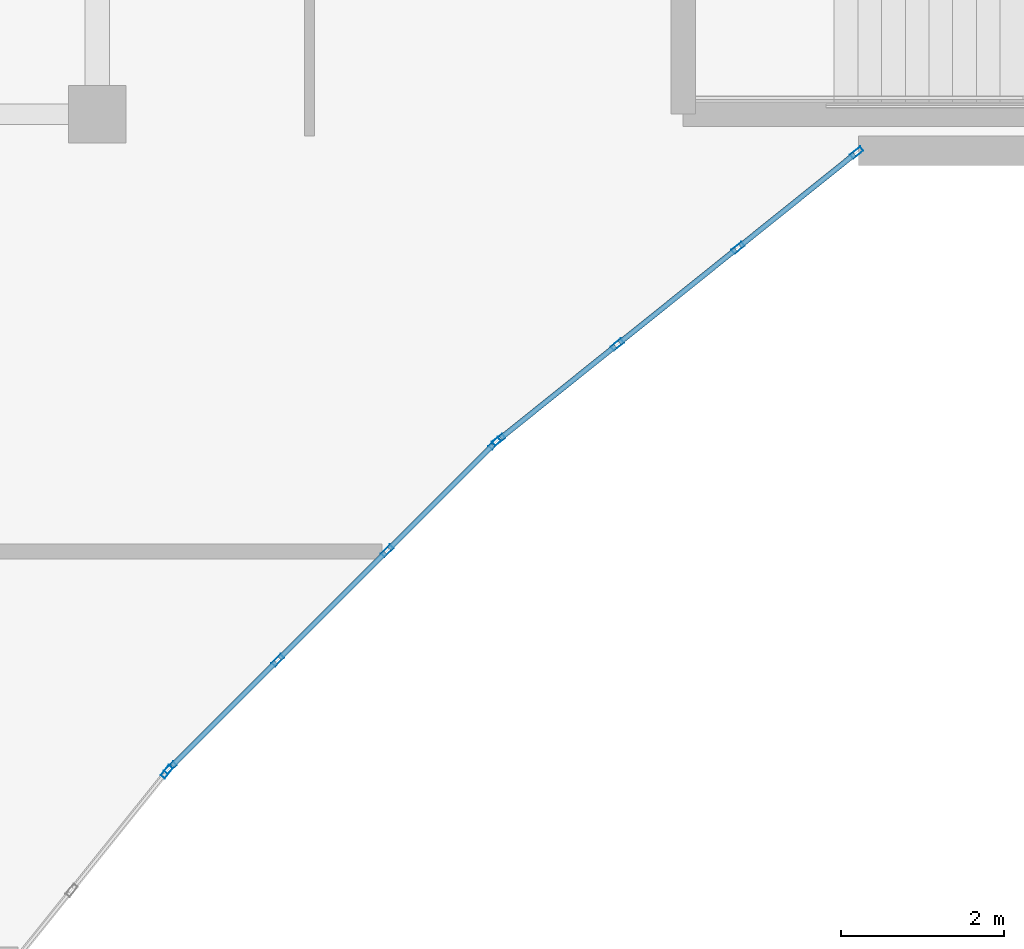
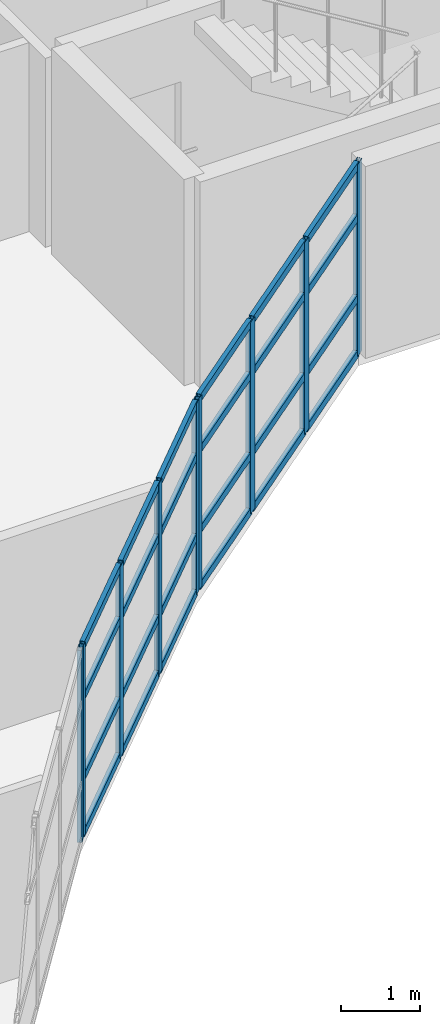
# One storey, part 23 of 89: 33 members, 3 elements without a shape of their own.
"""IFC4 building model written with IfcOpenShell, lengths in metres."""

from ifc_helpers import new_model, si_unit, direction, frame, origin, origin_2d, place, context, subcontext, project, spatial, hollow_rectangle, extrude, material, layer, layer_set, material_profile, profile_set, type_object, element, aggregate, save


model = new_model("IFC4")

# Units and contexts
model_context = context("Model", 3, precision=1e-05, world=origin(), true_north=direction((0.0, 1.0)))
body_context = subcontext(model_context, "Body", "Model", "MODEL_VIEW")
ifc_project = project(units=[si_unit("LENGTHUNIT", "METRE"), si_unit("AREAUNIT", "SQUARE_METRE"), si_unit("VOLUMEUNIT", "CUBIC_METRE"), si_unit("PLANEANGLEUNIT", "RADIAN"), si_unit("MASSUNIT", "GRAM", prefix="KILO")], contexts=[model_context])

# Site, building, storey
site_placement = place(None, origin())
site = spatial("IfcSite", under=ifc_project, at=site_placement, CompositionType="ELEMENT")
building_placement = place(site_placement, origin())
building = spatial("IfcBuilding", under=site, at=building_placement, Name="Keldmere Railside Commons", CompositionType="ELEMENT")
storey_placement = place(building_placement, frame((0.0, 0.0, 7.360107421875)))
storey = spatial("IfcBuildingStorey", under=building, at=storey_placement, Name="L02", CompositionType="ELEMENT", Elevation=7.360107421875)

# Curtain wall, member
ifc_material = material(Name="Thermally Broken Aluminium", Category="aluminium")
ifc_layer_1 = layer(ifc_material, 0.159912109375, Name="Court Chord Wintergarden CW 4800x2850")
ifc_layer_set_1 = layer_set([ifc_layer_1], Name="Thermally Broken Aluminium")
curtain_wall_type_1 = type_object("IfcCurtainWallType", Name="Court Chord Wintergarden CW 4800x2850", PredefinedType="NOTDEFINED", material=ifc_layer_set_1)
curtain_wall_1_placement = place(storey_placement, origin())
curtain_wall_1 = element("IfcCurtainWall", 1, at=curtain_wall_1_placement, inside=storey, type_object=curtain_wall_type_1, Name="CW-12 CW-L02-097", PredefinedType="NOTDEFINED")
ifc_material_profile_1 = material_profile(ifc_material, hollow_rectangle(XDim=0.06494140625, YDim=0.159912109375, WallThickness=0.00390625, at=origin_2d()), Name="ALU-MULL-65x160")
ifc_profile_set_1 = profile_set([ifc_material_profile_1], Name="Thermally Broken Aluminium")
member_type_1 = type_object("IfcMemberType", Name="Unitised Curtain Wall Mullion 65x160", PredefinedType="MULLION", material=ifc_profile_set_1)
member_1_placement = place(storey_placement, frame((123.53369140625, 92.404541015625, 0.0), z_axis=(0.0, 0.0, 1.0), x_axis=(0.780009172323, -0.625768080915, 0.0)))
member_1 = element("IfcMember", 2, at=member_1_placement, type_object=member_type_1, Name="CW-12 mullion 1", PredefinedType="MULLION", context=body_context, shape_type="SweptSolid", body=[
    extrude(hollow_rectangle(XDim=0.06494140625, YDim=0.159912109375, WallThickness=0.00390625, at=origin_2d()), origin(), (0.0, 0.0, 1.0), 2.97998046875),
])
aggregate(curtain_wall_1, [member_1])

# Curtain wall, members
ifc_layer_2 = layer(ifc_material, 0.159912109375, Name="Court Chord Wintergarden CW 5400x2850")
ifc_layer_set_2 = layer_set([ifc_layer_2], Name="Thermally Broken Aluminium")
curtain_wall_type_2 = type_object("IfcCurtainWallType", Name="Court Chord Wintergarden CW 5400x2850", PredefinedType="NOTDEFINED", material=ifc_layer_set_2)
curtain_wall_2_placement = place(storey_placement, origin())
curtain_wall_2 = element("IfcCurtainWall", 3, at=curtain_wall_2_placement, inside=storey, type_object=curtain_wall_type_2, Name="CW-13 CW-L02-098", PredefinedType="NOTDEFINED")
member_2_placement = place(storey_placement, frame((127.547119140625, 96.423095703125, 0.0), z_axis=(0.0, 0.0, 1.0), x_axis=(0.707106781187, -0.707106781187, 0.0)))
member_2 = element("IfcMember", 4, at=member_2_placement, type_object=member_type_1, Name="CW-13 mullion 1", PredefinedType="MULLION", context=body_context, shape_type="SweptSolid", body=[
    extrude(hollow_rectangle(XDim=0.06494140625, YDim=0.159912109375, WallThickness=0.00390625, at=origin_2d()), origin(), (0.0, 0.0, 1.0), 2.97998046875),
])
member_3_placement = place(storey_placement, frame((126.2314453125, 95.107421875, 0.0), z_axis=(0.0, 0.0, 1.0), x_axis=(0.707106781187, -0.707106781187, 0.0)))
member_3 = element("IfcMember", 5, at=member_3_placement, type_object=member_type_1, Name="CW-13 mullion 2", PredefinedType="MULLION", context=body_context, shape_type="SweptSolid", body=[
    extrude(hollow_rectangle(XDim=0.06494140625, YDim=0.159912109375, WallThickness=0.00390625, at=origin_2d()), origin(), (0.0, 0.0, 1.0), 2.97998046875),
])
member_4_placement = place(storey_placement, frame((124.892578125, 93.7685546875, 0.0), z_axis=(0.0, 0.0, 1.0), x_axis=(0.707106781187, -0.707106781187, 0.0)))
member_4 = element("IfcMember", 6, at=member_4_placement, type_object=member_type_1, Name="CW-13 mullion 3", PredefinedType="MULLION", context=body_context, shape_type="SweptSolid", body=[
    extrude(hollow_rectangle(XDim=0.06494140625, YDim=0.159912109375, WallThickness=0.00390625, at=origin_2d()), origin(), (0.0, 0.0, 1.0), 2.97998046875),
])
member_5_placement = place(storey_placement, frame((123.576904296875, 92.452880859375, 0.0), z_axis=(0.0, 0.0, 1.0), x_axis=(0.707106781187, -0.707106781187, 0.0)))
member_5 = element("IfcMember", 7, at=member_5_placement, type_object=member_type_1, Name="CW-13 mullion 4", PredefinedType="MULLION", context=body_context, shape_type="SweptSolid", body=[
    extrude(hollow_rectangle(XDim=0.06494140625, YDim=0.159912109375, WallThickness=0.00390625, at=origin_2d()), origin(), (0.0, 0.0, 1.0), 2.97998046875),
])

curtain_wall_3_placement = place(storey_placement, origin())
curtain_wall_3 = element("IfcCurtainWall", 8, at=curtain_wall_3_placement, inside=storey, type_object=curtain_wall_type_1, Name="CW-12 CW-L02-099", PredefinedType="NOTDEFINED")
member_6_placement = place(storey_placement, frame((131.974609375, 99.979736328125, 0.0), z_axis=(0.0, 0.0, 1.0), x_axis=(0.625768080915, -0.780009172323, 0.0)))
member_6 = element("IfcMember", 9, at=member_6_placement, type_object=member_type_1, Name="CW-12 mullion 1", PredefinedType="MULLION", context=body_context, shape_type="SweptSolid", body=[
    extrude(hollow_rectangle(XDim=0.06494140625, YDim=0.159912109375, WallThickness=0.00390625, at=origin_2d()), origin(), (0.0, 0.0, 1.0), 2.97998046875),
])
member_7_placement = place(storey_placement, frame((130.5234375, 98.8154296875, 0.0), z_axis=(0.0, 0.0, 1.0), x_axis=(0.625768080915, -0.780009172323, 0.0)))
member_7 = element("IfcMember", 10, at=member_7_placement, type_object=member_type_1, Name="CW-12 mullion 2", PredefinedType="MULLION", context=body_context, shape_type="SweptSolid", body=[
    extrude(hollow_rectangle(XDim=0.06494140625, YDim=0.159912109375, WallThickness=0.00390625, at=origin_2d()), origin(), (0.0, 0.0, 1.0), 2.97998046875),
])
member_8_placement = place(storey_placement, frame((129.046630859375, 97.630615234375, 0.0), z_axis=(0.0, 0.0, 1.0), x_axis=(0.625768080915, -0.780009172323, 0.0)))
member_8 = element("IfcMember", 11, at=member_8_placement, type_object=member_type_1, Name="CW-12 mullion 3", PredefinedType="MULLION", context=body_context, shape_type="SweptSolid", body=[
    extrude(hollow_rectangle(XDim=0.06494140625, YDim=0.159912109375, WallThickness=0.00390625, at=origin_2d()), origin(), (0.0, 0.0, 1.0), 2.97998046875),
])
member_9_placement = place(storey_placement, frame((127.595458984375, 96.46630859375, 0.0), z_axis=(0.0, 0.0, 1.0), x_axis=(0.625768080915, -0.780009172323, 0.0)))
member_9 = element("IfcMember", 12, at=member_9_placement, type_object=member_type_1, Name="CW-12 mullion 4", PredefinedType="MULLION", context=body_context, shape_type="SweptSolid", body=[
    extrude(hollow_rectangle(XDim=0.06494140625, YDim=0.159912109375, WallThickness=0.00390625, at=origin_2d()), origin(), (0.0, 0.0, 1.0), 2.97998046875),
])

# Member
ifc_material_profile_2 = material_profile(ifc_material, hollow_rectangle(XDim=0.06494140625, YDim=0.1201171875, WallThickness=0.00390625, at=origin_2d()), Name="ALU-TRAN-65x120")
ifc_profile_set_2 = profile_set([ifc_material_profile_2], Name="Thermally Broken Aluminium")
member_type_2 = type_object("IfcMemberType", Name="Unitised Curtain Wall Transom 65x120", PredefinedType="USERDEFINED", material=ifc_profile_set_2)
member_10_placement = place(storey_placement, frame((127.52392578125, 96.400146484375, 0.032470703125), z_axis=(-0.707038793419, -0.707174762418, 0.0), x_axis=(0.707174762418, -0.707038793419, 0.0)))
member_10 = element("IfcMember", 13, at=member_10_placement, type_object=member_type_2, Name="CW-13 transom 1.1", ObjectType="TRANSOM", PredefinedType="USERDEFINED", context=body_context, shape_type="SweptSolid", body=[
    extrude(hollow_rectangle(XDim=0.06494140625, YDim=0.1201171875, WallThickness=0.00390625, at=origin_2d()), origin(), (0.0, 0.0, 1.0), 1.795654296875),
])

member_11_placement = place(storey_placement, frame((127.52392578125, 96.400146484375, 0.89990234375), z_axis=(-0.707038793419, -0.707174762418, 0.0), x_axis=(0.707174762418, -0.707038793419, 0.0)))
member_11 = element("IfcMember", 14, at=member_11_placement, type_object=member_type_2, Name="CW-13 transom 1.2", ObjectType="TRANSOM", PredefinedType="USERDEFINED", context=body_context, shape_type="SweptSolid", body=[
    extrude(hollow_rectangle(XDim=0.06494140625, YDim=0.1201171875, WallThickness=0.00390625, at=origin_2d()), origin(), (0.0, 0.0, 1.0), 1.795654296875),
])

member_12_placement = place(storey_placement, frame((127.52392578125, 96.400146484375, 2.14990234375), z_axis=(-0.707038793419, -0.707174762418, 0.0), x_axis=(0.707174762418, -0.707038793419, 0.0)))
member_12 = element("IfcMember", 15, at=member_12_placement, type_object=member_type_2, Name="CW-13 transom 1.3", ObjectType="TRANSOM", PredefinedType="USERDEFINED", context=body_context, shape_type="SweptSolid", body=[
    extrude(hollow_rectangle(XDim=0.06494140625, YDim=0.1201171875, WallThickness=0.00390625, at=origin_2d()), origin(), (0.0, 0.0, 1.0), 1.795654296875),
])

member_13_placement = place(storey_placement, frame((127.52392578125, 96.400146484375, 2.947509765625), z_axis=(-0.707038793419, -0.707174762418, 0.0), x_axis=(0.707174762418, -0.707038793419, 0.0)))
member_13 = element("IfcMember", 16, at=member_13_placement, type_object=member_type_2, Name="CW-13 transom 1.4", ObjectType="TRANSOM", PredefinedType="USERDEFINED", context=body_context, shape_type="SweptSolid", body=[
    extrude(hollow_rectangle(XDim=0.06494140625, YDim=0.1201171875, WallThickness=0.00390625, at=origin_2d()), origin(), (0.0, 0.0, 1.0), 1.795654296875),
])

member_14_placement = place(storey_placement, frame((126.208251953125, 95.08447265625, 0.032470703125), z_axis=(-0.707106781187, -0.707106781187, 0.0), x_axis=(0.707106781187, -0.707106781187, 0.0)))
member_14 = element("IfcMember", 17, at=member_14_placement, type_object=member_type_2, Name="CW-13 transom 2.1", ObjectType="TRANSOM", PredefinedType="USERDEFINED", context=body_context, shape_type="SweptSolid", body=[
    extrude(hollow_rectangle(XDim=0.06494140625, YDim=0.1201171875, WallThickness=0.00390625, at=origin_2d()), origin(), (0.0, 0.0, 1.0), 1.828125),
])

member_15_placement = place(storey_placement, frame((126.208251953125, 95.08447265625, 0.89990234375), z_axis=(-0.707106781187, -0.707106781187, 0.0), x_axis=(0.707106781187, -0.707106781187, 0.0)))
member_15 = element("IfcMember", 18, at=member_15_placement, type_object=member_type_2, Name="CW-13 transom 2.2", ObjectType="TRANSOM", PredefinedType="USERDEFINED", context=body_context, shape_type="SweptSolid", body=[
    extrude(hollow_rectangle(XDim=0.06494140625, YDim=0.1201171875, WallThickness=0.00390625, at=origin_2d()), origin(), (0.0, 0.0, 1.0), 1.828125),
])

member_16_placement = place(storey_placement, frame((126.208251953125, 95.08447265625, 2.14990234375), z_axis=(-0.707106781187, -0.707106781187, 0.0), x_axis=(0.707106781187, -0.707106781187, 0.0)))
member_16 = element("IfcMember", 19, at=member_16_placement, type_object=member_type_2, Name="CW-13 transom 2.3", ObjectType="TRANSOM", PredefinedType="USERDEFINED", context=body_context, shape_type="SweptSolid", body=[
    extrude(hollow_rectangle(XDim=0.06494140625, YDim=0.1201171875, WallThickness=0.00390625, at=origin_2d()), origin(), (0.0, 0.0, 1.0), 1.828125),
])

member_17_placement = place(storey_placement, frame((126.208251953125, 95.08447265625, 2.947509765625), z_axis=(-0.707106781187, -0.707106781187, 0.0), x_axis=(0.707106781187, -0.707106781187, 0.0)))
member_17 = element("IfcMember", 20, at=member_17_placement, type_object=member_type_2, Name="CW-13 transom 2.4", ObjectType="TRANSOM", PredefinedType="USERDEFINED", context=body_context, shape_type="SweptSolid", body=[
    extrude(hollow_rectangle(XDim=0.06494140625, YDim=0.1201171875, WallThickness=0.00390625, at=origin_2d()), origin(), (0.0, 0.0, 1.0), 1.828125),
])

member_18_placement = place(storey_placement, frame((124.86962890625, 93.74560546875, 0.032470703125), z_axis=(-0.707174762418, -0.707038793419, 0.0), x_axis=(0.707038793419, -0.707174762418, 0.0)))
member_18 = element("IfcMember", 21, at=member_18_placement, type_object=member_type_2, Name="CW-13 transom 3.1", ObjectType="TRANSOM", PredefinedType="USERDEFINED", context=body_context, shape_type="SweptSolid", body=[
    extrude(hollow_rectangle(XDim=0.06494140625, YDim=0.1201171875, WallThickness=0.00390625, at=origin_2d()), origin(), (0.0, 0.0, 1.0), 1.795654296875),
])

member_19_placement = place(storey_placement, frame((124.86962890625, 93.74560546875, 0.89990234375), z_axis=(-0.707174762418, -0.707038793419, 0.0), x_axis=(0.707038793419, -0.707174762418, 0.0)))
member_19 = element("IfcMember", 22, at=member_19_placement, type_object=member_type_2, Name="CW-13 transom 3.2", ObjectType="TRANSOM", PredefinedType="USERDEFINED", context=body_context, shape_type="SweptSolid", body=[
    extrude(hollow_rectangle(XDim=0.06494140625, YDim=0.1201171875, WallThickness=0.00390625, at=origin_2d()), origin(), (0.0, 0.0, 1.0), 1.795654296875),
])

member_20_placement = place(storey_placement, frame((124.86962890625, 93.74560546875, 2.14990234375), z_axis=(-0.707174762418, -0.707038793419, 0.0), x_axis=(0.707038793419, -0.707174762418, 0.0)))
member_20 = element("IfcMember", 23, at=member_20_placement, type_object=member_type_2, Name="CW-13 transom 3.3", ObjectType="TRANSOM", PredefinedType="USERDEFINED", context=body_context, shape_type="SweptSolid", body=[
    extrude(hollow_rectangle(XDim=0.06494140625, YDim=0.1201171875, WallThickness=0.00390625, at=origin_2d()), origin(), (0.0, 0.0, 1.0), 1.795654296875),
])

member_21_placement = place(storey_placement, frame((124.86962890625, 93.74560546875, 2.947509765625), z_axis=(-0.707174762418, -0.707038793419, 0.0), x_axis=(0.707038793419, -0.707174762418, 0.0)))
member_21 = element("IfcMember", 24, at=member_21_placement, type_object=member_type_2, Name="CW-13 transom 3.4", ObjectType="TRANSOM", PredefinedType="USERDEFINED", context=body_context, shape_type="SweptSolid", body=[
    extrude(hollow_rectangle(XDim=0.06494140625, YDim=0.1201171875, WallThickness=0.00390625, at=origin_2d()), origin(), (0.0, 0.0, 1.0), 1.795654296875),
])

aggregate(curtain_wall_2, [member_2, member_3, member_4, member_5, member_10, member_11, member_12, member_13, member_14, member_15, member_16, member_17, member_18, member_19, member_20, member_21])

member_22_placement = place(storey_placement, frame((131.94921875, 99.959228515625, 0.032470703125), z_axis=(-0.780045694992, -0.625722553313, 0.0), x_axis=(0.625722553313, -0.780045694992, 0.0)))
member_22 = element("IfcMember", 25, at=member_22_placement, type_object=member_type_2, Name="CW-12 transom 1.1", ObjectType="TRANSOM", PredefinedType="USERDEFINED", context=body_context, shape_type="SweptSolid", body=[
    extrude(hollow_rectangle(XDim=0.06494140625, YDim=0.1201171875, WallThickness=0.00390625, at=origin_2d()), origin(), (0.0, 0.0, 1.0), 1.795654296875),
])

member_23_placement = place(storey_placement, frame((131.94921875, 99.959228515625, 0.89990234375), z_axis=(-0.780045694992, -0.625722553313, 0.0), x_axis=(0.625722553313, -0.780045694992, 0.0)))
member_23 = element("IfcMember", 26, at=member_23_placement, type_object=member_type_2, Name="CW-12 transom 1.2", ObjectType="TRANSOM", PredefinedType="USERDEFINED", context=body_context, shape_type="SweptSolid", body=[
    extrude(hollow_rectangle(XDim=0.06494140625, YDim=0.1201171875, WallThickness=0.00390625, at=origin_2d()), origin(), (0.0, 0.0, 1.0), 1.795654296875),
])

member_24_placement = place(storey_placement, frame((131.94921875, 99.959228515625, 2.14990234375), z_axis=(-0.780045694992, -0.625722553313, 0.0), x_axis=(0.625722553313, -0.780045694992, 0.0)))
member_24 = element("IfcMember", 27, at=member_24_placement, type_object=member_type_2, Name="CW-12 transom 1.3", ObjectType="TRANSOM", PredefinedType="USERDEFINED", context=body_context, shape_type="SweptSolid", body=[
    extrude(hollow_rectangle(XDim=0.06494140625, YDim=0.1201171875, WallThickness=0.00390625, at=origin_2d()), origin(), (0.0, 0.0, 1.0), 1.795654296875),
])

member_25_placement = place(storey_placement, frame((131.94921875, 99.959228515625, 2.947509765625), z_axis=(-0.780045694992, -0.625722553313, 0.0), x_axis=(0.625722553313, -0.780045694992, 0.0)))
member_25 = element("IfcMember", 28, at=member_25_placement, type_object=member_type_2, Name="CW-12 transom 1.4", ObjectType="TRANSOM", PredefinedType="USERDEFINED", context=body_context, shape_type="SweptSolid", body=[
    extrude(hollow_rectangle(XDim=0.06494140625, YDim=0.1201171875, WallThickness=0.00390625, at=origin_2d()), origin(), (0.0, 0.0, 1.0), 1.795654296875),
])

member_26_placement = place(storey_placement, frame((130.498046875, 98.794921875, 0.032470703125), z_axis=(-0.78007338409, -0.625688033635, 0.0), x_axis=(0.625688033635, -0.78007338409, 0.0)))
member_26 = element("IfcMember", 29, at=member_26_placement, type_object=member_type_2, Name="CW-12 transom 2.1", ObjectType="TRANSOM", PredefinedType="USERDEFINED", context=body_context, shape_type="SweptSolid", body=[
    extrude(hollow_rectangle(XDim=0.06494140625, YDim=0.1201171875, WallThickness=0.00390625, at=origin_2d()), origin(), (0.0, 0.0, 1.0), 1.828125),
])

member_27_placement = place(storey_placement, frame((130.498046875, 98.794921875, 0.89990234375), z_axis=(-0.78007338409, -0.625688033635, 0.0), x_axis=(0.625688033635, -0.78007338409, 0.0)))
member_27 = element("IfcMember", 30, at=member_27_placement, type_object=member_type_2, Name="CW-12 transom 2.2", ObjectType="TRANSOM", PredefinedType="USERDEFINED", context=body_context, shape_type="SweptSolid", body=[
    extrude(hollow_rectangle(XDim=0.06494140625, YDim=0.1201171875, WallThickness=0.00390625, at=origin_2d()), origin(), (0.0, 0.0, 1.0), 1.828125),
])

member_28_placement = place(storey_placement, frame((130.498046875, 98.794921875, 2.14990234375), z_axis=(-0.78007338409, -0.625688033635, 0.0), x_axis=(0.625688033635, -0.78007338409, 0.0)))
member_28 = element("IfcMember", 31, at=member_28_placement, type_object=member_type_2, Name="CW-12 transom 2.3", ObjectType="TRANSOM", PredefinedType="USERDEFINED", context=body_context, shape_type="SweptSolid", body=[
    extrude(hollow_rectangle(XDim=0.06494140625, YDim=0.1201171875, WallThickness=0.00390625, at=origin_2d()), origin(), (0.0, 0.0, 1.0), 1.828125),
])

member_29_placement = place(storey_placement, frame((130.498046875, 98.794921875, 2.947509765625), z_axis=(-0.78007338409, -0.625688033635, 0.0), x_axis=(0.625688033635, -0.78007338409, 0.0)))
member_29 = element("IfcMember", 32, at=member_29_placement, type_object=member_type_2, Name="CW-12 transom 2.4", ObjectType="TRANSOM", PredefinedType="USERDEFINED", context=body_context, shape_type="SweptSolid", body=[
    extrude(hollow_rectangle(XDim=0.06494140625, YDim=0.1201171875, WallThickness=0.00390625, at=origin_2d()), origin(), (0.0, 0.0, 1.0), 1.828125),
])

member_30_placement = place(storey_placement, frame((129.021240234375, 97.6103515625, 0.032470703125), z_axis=(-0.779979331565, -0.625805275091, 0.0), x_axis=(0.625805275091, -0.779979331565, 0.0)))
member_30 = element("IfcMember", 33, at=member_30_placement, type_object=member_type_2, Name="CW-12 transom 3.1", ObjectType="TRANSOM", PredefinedType="USERDEFINED", context=body_context, shape_type="SweptSolid", body=[
    extrude(hollow_rectangle(XDim=0.06494140625, YDim=0.1201171875, WallThickness=0.00390625, at=origin_2d()), origin(), (0.0, 0.0, 1.0), 1.795654296875),
])

member_31_placement = place(storey_placement, frame((129.021240234375, 97.6103515625, 0.89990234375), z_axis=(-0.779979331565, -0.625805275091, 0.0), x_axis=(0.625805275091, -0.779979331565, 0.0)))
member_31 = element("IfcMember", 34, at=member_31_placement, type_object=member_type_2, Name="CW-12 transom 3.2", ObjectType="TRANSOM", PredefinedType="USERDEFINED", context=body_context, shape_type="SweptSolid", body=[
    extrude(hollow_rectangle(XDim=0.06494140625, YDim=0.1201171875, WallThickness=0.00390625, at=origin_2d()), origin(), (0.0, 0.0, 1.0), 1.795654296875),
])

member_32_placement = place(storey_placement, frame((129.021240234375, 97.6103515625, 2.14990234375), z_axis=(-0.779979331565, -0.625805275091, 0.0), x_axis=(0.625805275091, -0.779979331565, 0.0)))
member_32 = element("IfcMember", 35, at=member_32_placement, type_object=member_type_2, Name="CW-12 transom 3.3", ObjectType="TRANSOM", PredefinedType="USERDEFINED", context=body_context, shape_type="SweptSolid", body=[
    extrude(hollow_rectangle(XDim=0.06494140625, YDim=0.1201171875, WallThickness=0.00390625, at=origin_2d()), origin(), (0.0, 0.0, 1.0), 1.795654296875),
])

member_33_placement = place(storey_placement, frame((129.021240234375, 97.6103515625, 2.947509765625), z_axis=(-0.779979331565, -0.625805275091, 0.0), x_axis=(0.625805275091, -0.779979331565, 0.0)))
member_33 = element("IfcMember", 36, at=member_33_placement, type_object=member_type_2, Name="CW-12 transom 3.4", ObjectType="TRANSOM", PredefinedType="USERDEFINED", context=body_context, shape_type="SweptSolid", body=[
    extrude(hollow_rectangle(XDim=0.06494140625, YDim=0.1201171875, WallThickness=0.00390625, at=origin_2d()), origin(), (0.0, 0.0, 1.0), 1.795654296875),
])

aggregate(curtain_wall_3, [member_6, member_7, member_8, member_9, member_22, member_23, member_24, member_25, member_26, member_27, member_28, member_29, member_30, member_31, member_32, member_33])

save(model, "model.ifc")
